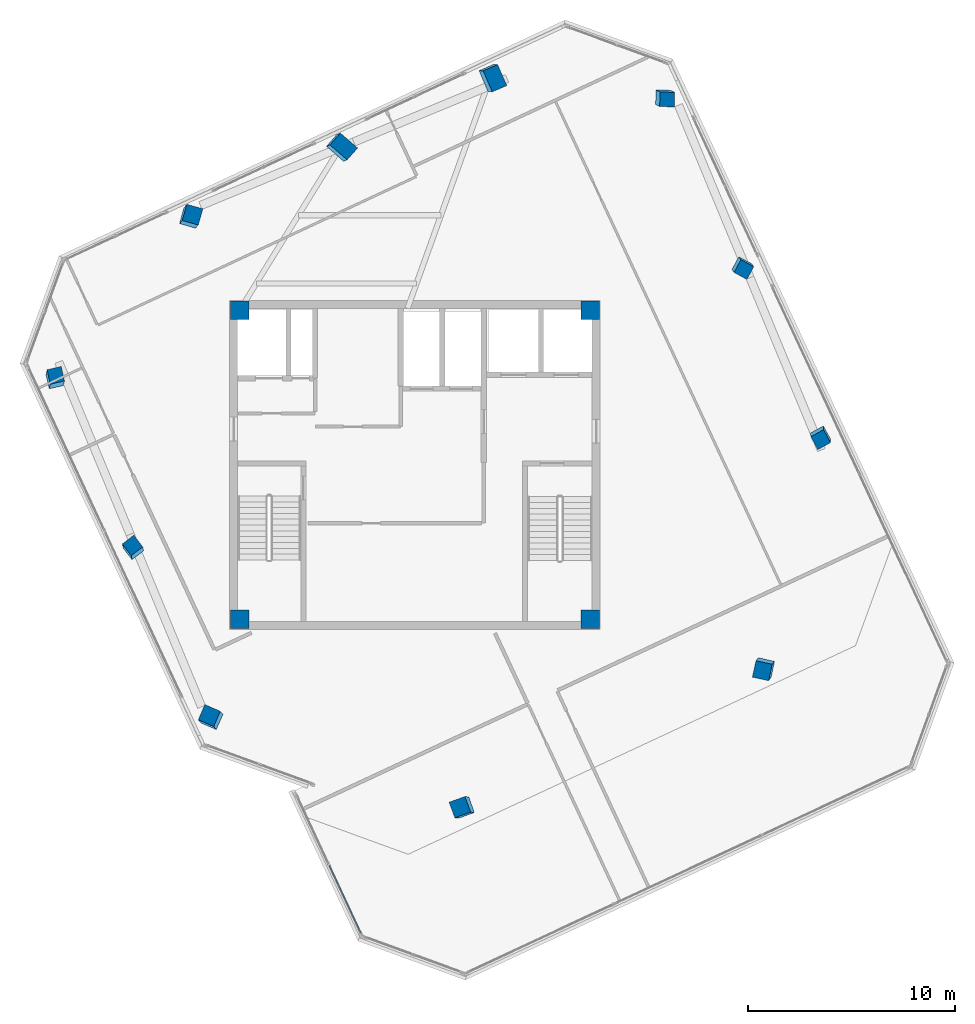
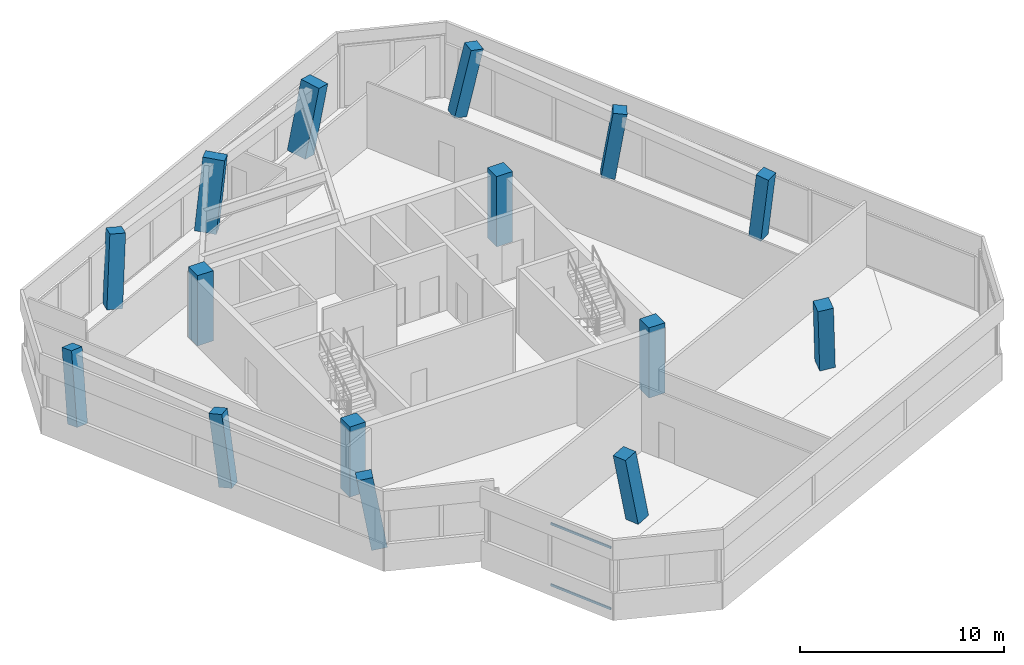
# One storey, part 1 of 16: 15 columns, 2 members, 1 element without a shape of its own.
"""IFC4 building model written with IfcOpenShell, lengths in metres."""

from ifc_helpers import new_model, si_unit, direction, frame, origin, origin_2d, place, context, subcontext, project, spatial, rectangle, hollow_rectangle, extrude, clip, halfspace, source, transform, mapped, material, material_profile, profile_set, type_object, element, aggregate, save


model = new_model("IFC4")

# Units and contexts
model_context = context("Model", 3, precision=1e-05, world=origin(), true_north=direction((0.0, 1.0)))
body_context = subcontext(model_context, "Body", "Model", "MODEL_VIEW")
ifc_project = project(units=[si_unit("LENGTHUNIT", "METRE"), si_unit("AREAUNIT", "SQUARE_METRE"), si_unit("VOLUMEUNIT", "CUBIC_METRE"), si_unit("PLANEANGLEUNIT", "RADIAN"), si_unit("MASSUNIT", "GRAM", prefix="KILO")], contexts=[model_context])

# Site, building, storey
site_placement = place(None, origin())
site = spatial("IfcSite", under=ifc_project, at=site_placement, CompositionType="ELEMENT")
building_placement = place(site_placement, origin())
building = spatial("IfcBuilding", under=site, at=building_placement, Name="Torre Montelarca", CompositionType="ELEMENT")
storey_placement = place(building_placement, frame((0.0, 0.0, 345.0)))
storey = spatial("IfcBuildingStorey", under=building, at=storey_placement, Name="L78", CompositionType="ELEMENT", Elevation=345.0)

# Columns
ifc_material_1 = material(Name="Concrete C40/50", Category="concrete")
ifc_material_profile_1 = material_profile(ifc_material_1, rectangle(XDim=0.75, YDim=1.10009765625, at=origin_2d()), Name="RC1100X750", Category="concrete")
ifc_profile_set_1 = profile_set([ifc_material_profile_1], Name="Concrete C40/50")
column_type_1 = type_object("IfcColumnType", Name="COL-PIL1100-EXT", PredefinedType="PILASTER", material=ifc_profile_set_1)
column_1_placement = place(storey_placement, frame((14.37890625, 47.271240234375, 0.0), z_axis=(0.157805484492, 0.069455026375, 0.985024582625), x_axis=(-0.646847803691, -0.74643867604, 0.156260109342)))
element("IfcColumn", 1, at=column_1_placement, inside=storey, type_object=column_type_1, Name="L78 Column 1W/E", PredefinedType="PILASTER", context=body_context, shape_type="Clipping", body=[
    clip(clip(extrude(rectangle(XDim=0.75, YDim=1.10009765625, at=origin_2d()), origin(), (0.0, 0.0, 1.0), 4.263916015625), halfspace(frame((0.0, 0.0, 0.100830078125), z_axis=(0.0, 0.0, -1.0), x_axis=(1.0, 0.0, 0.0)), False)), halfspace(frame((0.0, 0.0, 4.1630859375), z_axis=(0.0, 0.0, 1.0), x_axis=(1.0, 0.0, 0.0)), False)),
])
column_2_placement = place(storey_placement, frame((21.62939453125, 50.652099609375, 0.0), z_axis=(0.190150420075, -0.005421455554, 0.981739998964), x_axis=(-0.901441729495, -0.39708863024, 0.172404837691)))
element("IfcColumn", 2, at=column_2_placement, inside=storey, type_object=column_type_1, Name="L78 Column 1W/F", PredefinedType="PILASTER", context=body_context, shape_type="Clipping", body=[
    clip(clip(extrude(rectangle(XDim=0.75, YDim=1.10009765625, at=origin_2d()), origin(), (0.0, 0.0, 1.0), 4.278076171875), halfspace(frame((0.0, 0.0, 0.111572265625), z_axis=(0.0, 0.0, -1.0), x_axis=(1.0, 0.0, 0.0)), False)), halfspace(frame((0.0, 0.0, 4.16650390625), z_axis=(0.0, 0.0, 1.0), x_axis=(1.0, 0.0, 0.0)), False)),
])
ifc_material_profile_2 = material_profile(ifc_material_1, rectangle(XDim=0.699951171875, YDim=0.699951171875, at=origin_2d()), Name="RC700X700", Category="concrete")
ifc_profile_set_2 = profile_set([ifc_material_profile_2], Name="Concrete C40/50")
column_type_2 = type_object("IfcColumnType", Name="COL-RC700-EXT", PredefinedType="COLUMN", material=ifc_profile_set_2)
column_3_placement = place(storey_placement, frame((0.62890625, 36.059814453125, 0.0), z_axis=(0.045749750222, 0.210755362995, 0.976467683707), x_axis=(0.225264718998, -0.954490477645, 0.195457756204)))
element("IfcColumn", 3, at=column_3_placement, inside=storey, type_object=column_type_2, Name="L78 Column 2/CS", PredefinedType="COLUMN", context=body_context, shape_type="Clipping", body=[
    clip(clip(extrude(rectangle(XDim=0.699951171875, YDim=0.699951171875, at=origin_2d()), origin(), (0.0, 0.0, 1.0), 4.30126953125), halfspace(frame((0.0, 0.0, 0.103515625), z_axis=(0.0, 0.0, -1.0), x_axis=(1.0, 0.0, 0.0)), False)), halfspace(frame((0.0, 0.0, 4.19775390625), z_axis=(0.0, 0.0, 1.0), x_axis=(1.0, 0.0, 0.0)), False)),
])
column_4_placement = place(storey_placement, frame((29.94775390625, 49.7314453125, 0.0), z_axis=(0.178557414526, -0.08987674645, 0.979816013426), x_axis=(-0.98321057794, 0.02176204754, 0.181172218384)))
element("IfcColumn", 4, at=column_4_placement, inside=storey, type_object=column_type_2, Name="L78 Column 2/GN", PredefinedType="COLUMN", context=body_context, shape_type="Clipping", body=[
    clip(clip(extrude(rectangle(XDim=0.699951171875, YDim=0.699951171875, at=origin_2d()), origin(), (0.0, 0.0, 1.0), 4.286376953125), halfspace(frame((0.0, 0.0, 0.095703125), z_axis=(0.0, 0.0, -1.0), x_axis=(1.0, 0.0, 0.0)), False)), halfspace(frame((0.0, 0.0, 4.190673828125), z_axis=(0.0, 0.0, 1.0), x_axis=(1.0, 0.0, 0.0)), False)),
])
column_5_placement = place(storey_placement, frame((4.432373046875, 27.903076171875, 0.0), z_axis=(-0.038029213994, 0.175277505101, 0.983784313297), x_axis=(0.602059625053, -0.781729661039, 0.162551360911)))
element("IfcColumn", 5, at=column_5_placement, inside=storey, type_object=column_type_2, Name="L78 Column 3/CS", PredefinedType="COLUMN", context=body_context, shape_type="Clipping", body=[
    clip(clip(extrude(rectangle(XDim=0.699951171875, YDim=0.699951171875, at=origin_2d()), origin(), (0.0, 0.0, 1.0), 4.269287109375), halfspace(frame((0.0, 0.0, 0.08544921875), z_axis=(0.0, 0.0, -1.0), x_axis=(1.0, 0.0, 0.0)), False)), halfspace(frame((0.0, 0.0, 4.183837890625), z_axis=(0.0, 0.0, 1.0), x_axis=(1.0, 0.0, 0.0)), False)),
])
column_6_placement = place(storey_placement, frame((33.75146484375, 41.57470703125, 0.0), z_axis=(0.095432367806, -0.127740499541, 0.987205666491), x_axis=(-0.874055408456, 0.463835346238, 0.144512679474)))
element("IfcColumn", 6, at=column_6_placement, inside=storey, type_object=column_type_2, Name="L78 Column 3/GN", PredefinedType="COLUMN", context=body_context, shape_type="Clipping", body=[
    clip(clip(extrude(rectangle(XDim=0.699951171875, YDim=0.699951171875, at=origin_2d()), origin(), (0.0, 0.0, 1.0), 4.25439453125), halfspace(frame((0.0, 0.0, 0.075927734375), z_axis=(0.0, 0.0, -1.0), x_axis=(1.0, 0.0, 0.0)), False)), halfspace(frame((0.0, 0.0, 4.178466796875), z_axis=(0.0, 0.0, 1.0), x_axis=(1.0, 0.0, 0.0)), False)),
])
column_7_placement = place(storey_placement, frame((37.554931640625, 33.41796875, 0.0), z_axis=(0.010950287477, -0.164770294282, 0.98627118042), x_axis=(-0.480961717614, 0.863873317213, 0.14966201254)))
element("IfcColumn", 7, at=column_7_placement, inside=storey, type_object=column_type_2, Name="L78 Column 4/GN", PredefinedType="COLUMN", context=body_context, shape_type="Clipping", body=[
    clip(clip(extrude(rectangle(XDim=0.699951171875, YDim=0.699951171875, at=origin_2d()), origin(), (0.0, 0.0, 1.0), 4.25830078125), halfspace(frame((0.0, 0.0, 0.07861328125), z_axis=(0.0, 0.0, -1.0), x_axis=(1.0, 0.0, 0.0)), False)), halfspace(frame((0.0, 0.0, 4.1796875), z_axis=(0.0, 0.0, 1.0), x_axis=(1.0, 0.0, 0.0)), False)),
])
ifc_material_profile_3 = material_profile(ifc_material_1, rectangle(XDim=0.800048828125, YDim=0.800048828125, at=origin_2d()), Name="RC800X800", Category="concrete")
ifc_profile_set_3 = profile_set([ifc_material_profile_3], Name="Concrete C40/50")
column_type_3 = type_object("IfcColumnType", Name="COL-RC800-EXT", PredefinedType="COLUMN", material=ifc_profile_set_3)
column_8_placement = place(storey_placement, frame((8.23583984375, 19.746337890625, 0.0), z_axis=(-0.122093981529, 0.138091321177, 0.982865121311), x_axis=(0.906645783258, -0.387408856196, 0.167056283453)))
element("IfcColumn", 8, at=column_8_placement, inside=storey, type_object=column_type_3, Name="L78 Column 4/CS", PredefinedType="COLUMN", context=body_context, shape_type="Clipping", body=[
    clip(clip(extrude(rectangle(XDim=0.800048828125, YDim=0.800048828125, at=origin_2d()), origin(), (0.0, 0.0, 1.0), 4.273193359375), halfspace(frame((0.0, 0.0, 0.100341796875), z_axis=(0.0, 0.0, -1.0), x_axis=(1.0, 0.0, 0.0)), False)), halfspace(frame((0.0, 0.0, 4.1728515625), z_axis=(0.0, 0.0, 1.0), x_axis=(1.0, 0.0, 0.0)), False)),
])
for number, where, z_axis, x_axis, name in (
    (9, (20.37744140625, 15.4775390625, 0.0), (-0.168828266365, 0.015181367691, 0.985528559988), (0.927452745879, 0.340925094738, 0.153627744696), "L78 Column 5/D"),
    (10, (34.87841796875, 22.239501953125, 0.0), (-0.102889151492, -0.134741249616, 0.985524539602), (0.206186022991, 0.966374322369, 0.153648927716), "L78 Column 5/F"),
):
    element("IfcColumn", number, at=place(storey_placement, frame(where, z_axis=z_axis, x_axis=x_axis)), inside=storey, type_object=column_type_3, Name=name, PredefinedType="COLUMN", context=body_context, shape_type="Clipping", body=[
        clip(clip(extrude(rectangle(XDim=0.800048828125, YDim=0.800048828125, at=origin_2d()), origin(), (0.0, 0.0, 1.0), 4.26171875), halfspace(frame((0.0, 0.0, 0.09228515625), z_axis=(0.0, 0.0, -1.0), x_axis=(1.0, 0.0, 0.0)), False)), halfspace(frame((0.0, 0.0, 4.16943359375), z_axis=(0.0, 0.0, 1.0), x_axis=(1.0, 0.0, 0.0)), False)),
    ])
column_9_placement = place(storey_placement, frame((7.12841796875, 43.890380859375, 0.0), z_axis=(0.124408828393, 0.143869108431, 0.981745447179), x_axis=(-0.262317770415, -0.949460239356, 0.172379352608)))
element("IfcColumn", 11, at=column_9_placement, inside=storey, type_object=column_type_3, Name="L78 Column 1W/D", PredefinedType="COLUMN", context=body_context, shape_type="Clipping", body=[
    clip(clip(extrude(rectangle(XDim=0.800048828125, YDim=0.800048828125, at=origin_2d()), origin(), (0.0, 0.0, 1.0), 4.278076171875), halfspace(frame((0.0, 0.0, 0.103759765625), z_axis=(0.0, 0.0, -1.0), x_axis=(1.0, 0.0, 0.0)), False)), halfspace(frame((0.0, 0.0, 4.17431640625), z_axis=(0.0, 0.0, 1.0), x_axis=(1.0, 0.0, 0.0)), False)),
])
ifc_material_2 = material(Name="Concrete C55/67", Category="concrete")
ifc_material_profile_4 = material_profile(ifc_material_2, rectangle(XDim=0.89990234375, YDim=0.89990234375, at=origin_2d()), Name="RC900X900", Category="concrete")
ifc_profile_set_4 = profile_set([ifc_material_profile_4], Name="Concrete C55/67")
column_type_4 = type_object("IfcColumnType", Name="COL-RC900", PredefinedType="COLUMN", material=ifc_profile_set_4)
shared_shape_1 = source(origin(), body_context, "Body", "SweptSolid", [
    extrude(rectangle(XDim=0.89990234375, YDim=0.89990234375, at=origin_2d()), origin(), (0.0, 0.0, 1.0), 4.198486328125),
])
for number, where, z_axis, x_axis, name in (
    (12, (9.550048828125, 24.550048828125, 0.000732421875), (0.0, 0.0, 1.0), (1.0, 0.0, 0.0), "L78 Plumb Core Corner Column 2D"),
    (13, (26.449951171875, 24.550048828125, 0.000732421875), (0.0, 0.0, 1.0), (1.0, 0.0, 0.0), "L78 Plumb Core Corner Column 4D"),
    (14, (9.550048828125, 39.449951171875, 0.000732421875), (0.0, 0.0, 1.0), (1.0, 0.0, 0.0), "L78 Plumb Core Corner Column 2F"),
    (15, (26.449951171875, 39.449951171875, 0.000732421875), (0.0, 0.0, 1.0), (1.0, 0.0, 0.0), "L78 Plumb Core Corner Column 4F"),
):
    element("IfcColumn", number, at=place(storey_placement, frame(where, z_axis=z_axis, x_axis=x_axis)), inside=storey, type_object=column_type_4, Name=name, PredefinedType="COLUMN", context=body_context, shape_type="MappedRepresentation", body=[
        mapped(shared_shape_1, transform((0.0, 0.0, 0.0), scale=1.0)),
    ])

# Curtain wall, members
ifc_material_3 = material(Name="Insulated low-E laminated glass", Category="glass")
curtain_wall_type = type_object("IfcCurtainWallType", Name="CW-SYS-Z4", PredefinedType="USERDEFINED", material=ifc_material_3)
curtain_wall_placement = place(storey_placement, origin())
curtain_wall = element("IfcCurtainWall", 16, at=curtain_wall_placement, inside=storey, type_object=curtain_wall_type, Name="L78 Curtain Wall Run CW-T3-L78-E04-B1", ObjectType="UNITISED GLAZING", PredefinedType="USERDEFINED")
ifc_material_4 = material(Name="Anodised aluminium AA 6063-T6", Category="aluminium")
ifc_material_profile_5 = material_profile(ifc_material_4, hollow_rectangle(XDim=0.06494140625, YDim=0.139892578125, WallThickness=0.00390625, InnerFilletRadius=0.00390625, OuterFilletRadius=0.008056640625, at=origin_2d()), Name="ALU65X140X4", Category="aluminium")
ifc_profile_set_5 = profile_set([ifc_material_profile_5], Name="Anodised aluminium AA 6063-T6")
member_type = type_object("IfcMemberType", Name="CWT-ALU140", PredefinedType="USERDEFINED", material=ifc_profile_set_5)
shared_shape_2 = source(origin(), body_context, "Body", "SweptSolid", [
    extrude(hollow_rectangle(XDim=0.06494140625, YDim=0.139892578125, WallThickness=0.00390625, InnerFilletRadius=0.00390625, OuterFilletRadius=0.008056640625, at=origin_2d()), origin(), (0.0, 0.0, 1.0), 3.583740234375),
])
member_1_placement = place(storey_placement, frame((13.875, 12.693115234375, 0.032470703125), z_axis=(0.42257589713, -0.906327540774, 0.0), x_axis=(0.906327540774, 0.42257589713, 0.0)))
member_1 = element("IfcMember", 17, at=member_1_placement, type_object=member_type, Name="CW transom 2.1", ObjectType="TRANSOM", PredefinedType="USERDEFINED", context=body_context, shape_type="MappedRepresentation", body=[
    mapped(shared_shape_2, transform((0.0, 0.0, 0.0), scale=1.0)),
])
member_2_placement = place(storey_placement, frame((13.875, 12.693115234375, 3.6875), z_axis=(0.42257589713, -0.906327540774, 0.0), x_axis=(0.906327540774, 0.42257589713, 0.0)))
member_2 = element("IfcMember", 18, at=member_2_placement, type_object=member_type, Name="CW transom 2.2", ObjectType="TRANSOM", PredefinedType="USERDEFINED", context=body_context, shape_type="MappedRepresentation", body=[
    mapped(shared_shape_2, transform((0.0, 0.0, 0.0), scale=1.0)),
])
aggregate(curtain_wall, [member_1, member_2])

save(model, "model.ifc")
